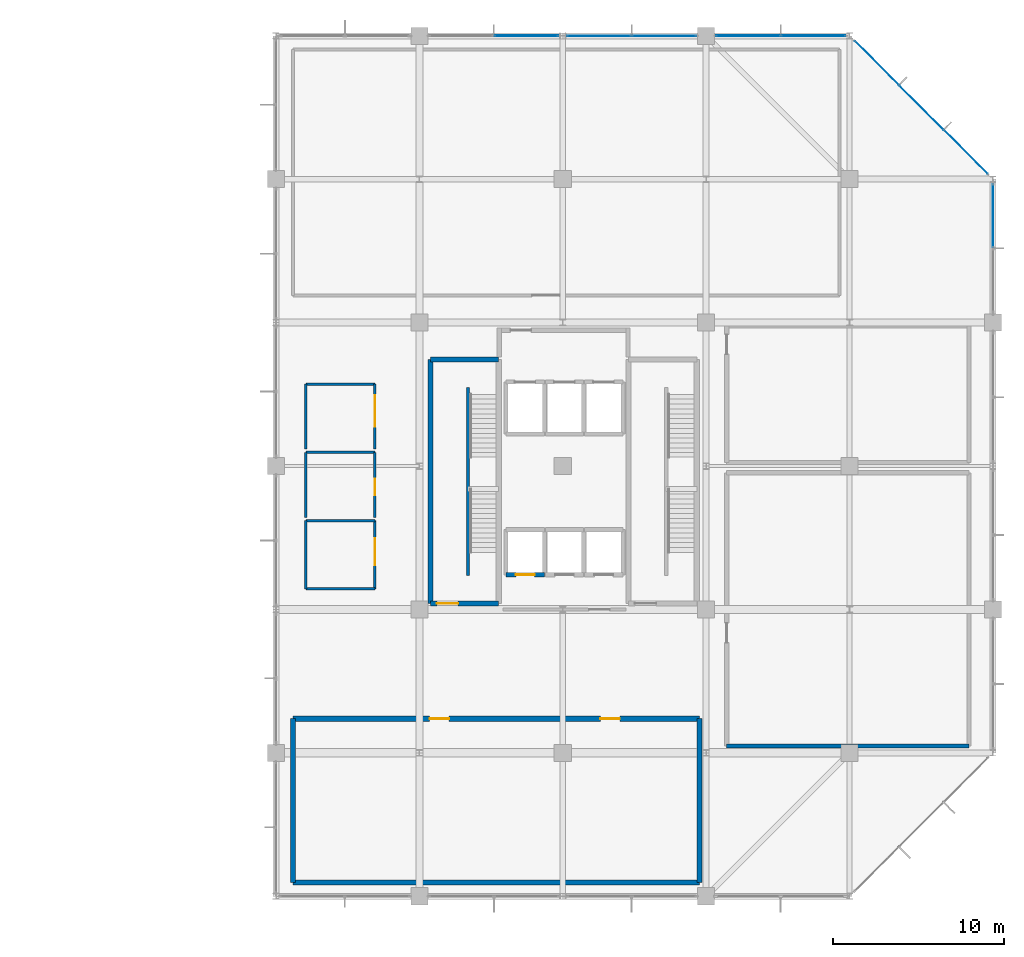
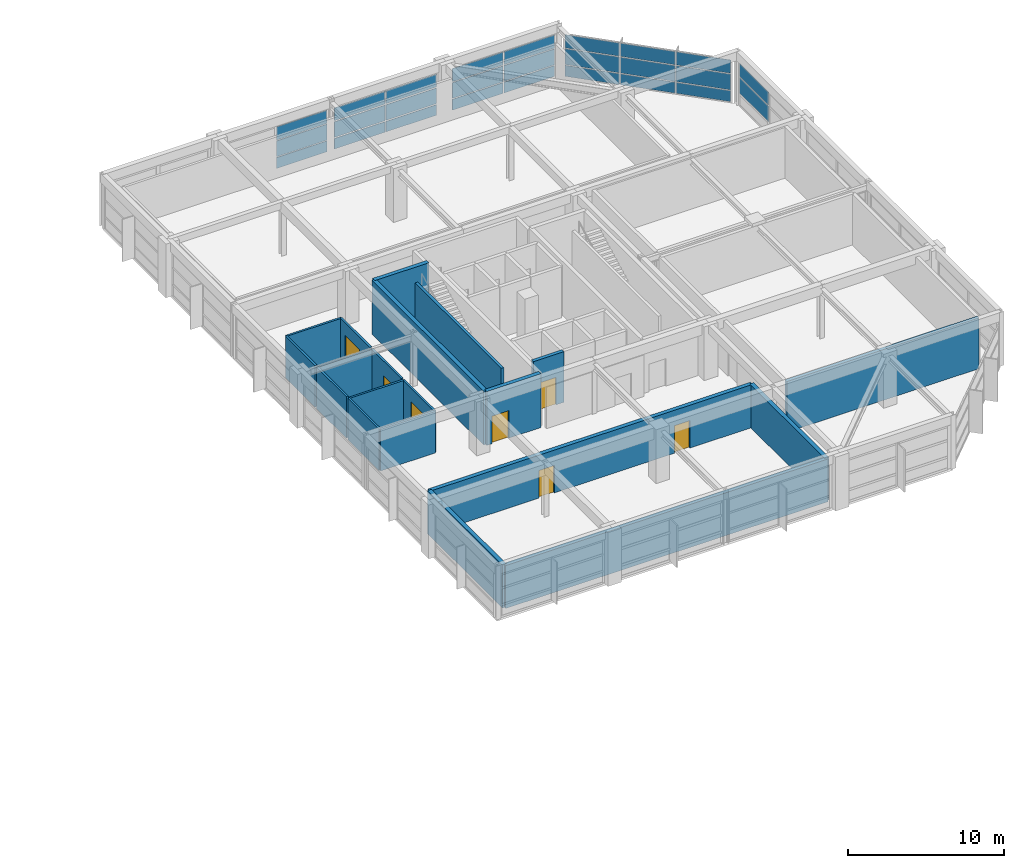
# One storey, part 28 of 32: 26 plates, 20 walls, 7 doors, 7 openings, 5 elements without a shape of their own.
"""IFC4 building model written with IfcOpenShell, lengths in metres."""

from ifc_helpers import new_model, si_unit, direction, frame, frame_2d, origin, origin_2d, place, context, subcontext, project, spatial, rectangle, extrude, material, layer, layer_set, type_object, element, fill, aggregate, save


model = new_model("IFC4")

# Units and contexts
model_context = context("Model", 3, precision=1e-05, world=origin(), true_north=direction((0.0, 1.0)))
body_context = subcontext(model_context, "Body", "Model", "MODEL_VIEW")
ifc_project = project(units=[si_unit("LENGTHUNIT", "METRE"), si_unit("AREAUNIT", "SQUARE_METRE"), si_unit("VOLUMEUNIT", "CUBIC_METRE"), si_unit("PLANEANGLEUNIT", "RADIAN"), si_unit("MASSUNIT", "GRAM", prefix="KILO")], contexts=[model_context])

# Site, building, storey
site_placement = place(None, origin())
site = spatial("IfcSite", under=ifc_project, at=site_placement, CompositionType="ELEMENT")
building_placement = place(site_placement, origin())
building = spatial("IfcBuilding", under=site, at=building_placement, Name="Xuanlan Plaza Opera House", CompositionType="ELEMENT")
storey_placement = place(building_placement, frame((0.0, 0.0, 40.5)))
storey = spatial("IfcBuildingStorey", under=building, at=storey_placement, Name="L09", CompositionType="ELEMENT", Elevation=40.5)

# Curtain wall, plates
ifc_material_1 = material(Name="Anodised Aluminium 6063-T6 and Low-E Glass", Category="aluminium")
curtain_wall_type_1 = type_object("IfcCurtainWallType", Name="ENV-CW-CW-01", PredefinedType="USERDEFINED", material=ifc_material_1)
curtain_wall_1_placement = place(storey_placement, origin())
curtain_wall_1 = element("IfcCurtainWall", 1, at=curtain_wall_1_placement, inside=storey, type_object=curtain_wall_type_1, Name="Unitised Curtain Wall L09-010", ObjectType="UNITISED CURTAIN WALL", PredefinedType="USERDEFINED")
ifc_material_2 = material(Name="Laminated Acoustic Double Glazing", Category="glass")
ifc_layer_1 = layer(ifc_material_2, 0.028076171875)
ifc_layer_set_1 = layer_set([ifc_layer_1], Name="Laminated Acoustic Double Glazing")
plate_type_1 = type_object("IfcPlateType", Name="ENV-CWP-01", PredefinedType="CURTAIN_PANEL", material=ifc_layer_set_1)
plate_1_placement = place(storey_placement, frame((166.40576171875, 77.194091796875, 0.06494140625), z_axis=(0.0, 0.0, 1.0), x_axis=(-0.707106781187, 0.707106781187, 0.0)))
plate_1 = element("IfcPlate", 2, at=plate_1_placement, type_object=plate_type_1, Name="CW-01 panel 1.1", PredefinedType="CURTAIN_PANEL", context=body_context, shape_type="SweptSolid", body=[
    extrude(rectangle(XDim=3.60400390625, YDim=0.028076171875, at=origin_2d()), origin(), (0.0, 0.0, 1.0), 0.8525390625),
])
plate_2_placement = place(storey_placement, frame((166.40576171875, 77.194091796875, 0.982421875), z_axis=(0.0, 0.0, 1.0), x_axis=(-0.707106781187, 0.707106781187, 0.0)))
plate_2 = element("IfcPlate", 3, at=plate_2_placement, type_object=plate_type_1, Name="CW-01 panel 1.2", PredefinedType="CURTAIN_PANEL", context=body_context, shape_type="SweptSolid", body=[
    extrude(rectangle(XDim=3.60400390625, YDim=0.028076171875, at=origin_2d()), origin(), (0.0, 0.0, 1.0), 1.235107421875),
])
plate_3_placement = place(storey_placement, frame((166.40576171875, 77.194091796875, 2.28271484375), z_axis=(0.0, 0.0, 1.0), x_axis=(-0.707106781187, 0.707106781187, 0.0)))
plate_3 = element("IfcPlate", 4, at=plate_3_placement, type_object=plate_type_1, Name="CW-01 panel 1.3", PredefinedType="CURTAIN_PANEL", context=body_context, shape_type="SweptSolid", body=[
    extrude(rectangle(XDim=3.60400390625, YDim=0.028076171875, at=origin_2d()), origin(), (0.0, 0.0, 1.0), 1.032470703125),
])
plate_4_placement = place(storey_placement, frame((163.800048828125, 79.800048828125, 0.06494140625), z_axis=(0.0, 0.0, 1.0), x_axis=(-0.707106781187, 0.707106781187, 0.0)))
plate_4 = element("IfcPlate", 5, at=plate_4_placement, type_object=plate_type_1, Name="CW-01 panel 2.1", PredefinedType="CURTAIN_PANEL", context=body_context, shape_type="SweptSolid", body=[
    extrude(rectangle(XDim=3.636474609375, YDim=0.028076171875, at=origin_2d()), origin(), (0.0, 0.0, 1.0), 0.8525390625),
])
plate_5_placement = place(storey_placement, frame((163.800048828125, 79.800048828125, 0.982421875), z_axis=(0.0, 0.0, 1.0), x_axis=(-0.707106781187, 0.707106781187, 0.0)))
plate_5 = element("IfcPlate", 6, at=plate_5_placement, type_object=plate_type_1, Name="CW-01 panel 2.2", PredefinedType="CURTAIN_PANEL", context=body_context, shape_type="SweptSolid", body=[
    extrude(rectangle(XDim=3.636474609375, YDim=0.028076171875, at=origin_2d()), origin(), (0.0, 0.0, 1.0), 1.235107421875),
])
plate_6_placement = place(storey_placement, frame((163.800048828125, 79.800048828125, 2.28271484375), z_axis=(0.0, 0.0, 1.0), x_axis=(-0.707106781187, 0.707106781187, 0.0)))
plate_6 = element("IfcPlate", 7, at=plate_6_placement, type_object=plate_type_1, Name="CW-01 panel 2.3", PredefinedType="CURTAIN_PANEL", context=body_context, shape_type="SweptSolid", body=[
    extrude(rectangle(XDim=3.636474609375, YDim=0.028076171875, at=origin_2d()), origin(), (0.0, 0.0, 1.0), 1.032470703125),
])
plate_7_placement = place(storey_placement, frame((161.194091796875, 82.40576171875, 0.06494140625), z_axis=(0.0, 0.0, 1.0), x_axis=(-0.707106781187, 0.707106781187, 0.0)))
plate_7 = element("IfcPlate", 8, at=plate_7_placement, type_object=plate_type_1, Name="CW-01 panel 3.1", PredefinedType="CURTAIN_PANEL", context=body_context, shape_type="SweptSolid", body=[
    extrude(rectangle(XDim=3.60400390625, YDim=0.028076171875, at=origin_2d()), origin(), (0.0, 0.0, 1.0), 0.8525390625),
])
plate_8_placement = place(storey_placement, frame((161.194091796875, 82.40576171875, 0.982421875), z_axis=(0.0, 0.0, 1.0), x_axis=(-0.707106781187, 0.707106781187, 0.0)))
plate_8 = element("IfcPlate", 9, at=plate_8_placement, type_object=plate_type_1, Name="CW-01 panel 3.2", PredefinedType="CURTAIN_PANEL", context=body_context, shape_type="SweptSolid", body=[
    extrude(rectangle(XDim=3.60400390625, YDim=0.028076171875, at=origin_2d()), origin(), (0.0, 0.0, 1.0), 1.235107421875),
])
plate_9_placement = place(storey_placement, frame((161.194091796875, 82.40576171875, 2.28271484375), z_axis=(0.0, 0.0, 1.0), x_axis=(-0.707106781187, 0.707106781187, 0.0)))
plate_9 = element("IfcPlate", 10, at=plate_9_placement, type_object=plate_type_1, Name="CW-01 panel 3.3", PredefinedType="CURTAIN_PANEL", context=body_context, shape_type="SweptSolid", body=[
    extrude(rectangle(XDim=3.60400390625, YDim=0.028076171875, at=origin_2d()), origin(), (0.0, 0.0, 1.0), 1.032470703125),
])
aggregate(curtain_wall_1, [plate_1, plate_2, plate_3, plate_4, plate_5, plate_6, plate_7, plate_8, plate_9])

curtain_wall_type_2 = type_object("IfcCurtainWallType", Name="ENV-CW-CW-03", PredefinedType="USERDEFINED", material=ifc_material_1)
curtain_wall_2_placement = place(storey_placement, origin())
curtain_wall_2 = element("IfcCurtainWall", 11, at=curtain_wall_2_placement, inside=storey, type_object=curtain_wall_type_2, Name="Unitised Curtain Wall L09-012", ObjectType="UNITISED CURTAIN WALL", PredefinedType="USERDEFINED")
ifc_layer_2 = layer(ifc_material_2, 0.031982421875)
ifc_layer_set_2 = layer_set([ifc_layer_2], Name="Laminated Acoustic Double Glazing")
plate_type_2 = type_object("IfcPlateType", Name="ENV-CWP-02", PredefinedType="CURTAIN_PANEL", material=ifc_layer_set_2)
plate_10_placement = place(storey_placement, frame((148.739990234375, 84.0, 0.090087890625), z_axis=(0.0, 0.0, 1.0), x_axis=(-1.0, 0.0, 0.0)))
plate_10 = element("IfcPlate", 12, at=plate_10_placement, type_object=plate_type_2, Name="CW-03 panel 1.1", PredefinedType="CURTAIN_PANEL", context=body_context, shape_type="SweptSolid", body=[
    extrude(rectangle(XDim=3.72998046875, YDim=0.031982421875, at=origin_2d()), origin(), (0.0, 0.0, 1.0), 0.81494140625),
])
plate_11_placement = place(storey_placement, frame((148.739990234375, 84.0, 0.9951171875), z_axis=(0.0, 0.0, 1.0), x_axis=(-1.0, 0.0, 0.0)))
plate_11 = element("IfcPlate", 13, at=plate_11_placement, type_object=plate_type_2, Name="CW-03 panel 1.2", PredefinedType="CURTAIN_PANEL", context=body_context, shape_type="SweptSolid", body=[
    extrude(rectangle(XDim=3.72998046875, YDim=0.031982421875, at=origin_2d()), origin(), (0.0, 0.0, 1.0), 1.2099609375),
])
plate_12_placement = place(storey_placement, frame((148.739990234375, 84.0, 2.294921875), z_axis=(0.0, 0.0, 1.0), x_axis=(-1.0, 0.0, 0.0)))
plate_12 = element("IfcPlate", 14, at=plate_12_placement, type_object=plate_type_2, Name="CW-03 panel 1.3", PredefinedType="CURTAIN_PANEL", context=body_context, shape_type="SweptSolid", body=[
    extrude(rectangle(XDim=3.72998046875, YDim=0.031982421875, at=origin_2d()), origin(), (0.0, 0.0, 1.0), 0.9951171875),
])
plate_13_placement = place(storey_placement, frame((144.93505859375, 84.0, 0.090087890625), z_axis=(0.0, 0.0, 1.0), x_axis=(-1.0, 0.0, 0.0)))
plate_13 = element("IfcPlate", 15, at=plate_13_placement, type_object=plate_type_2, Name="CW-03 panel 2.1", PredefinedType="CURTAIN_PANEL", context=body_context, shape_type="SweptSolid", body=[
    extrude(rectangle(XDim=3.72998046875, YDim=0.031982421875, at=origin_2d()), origin(), (0.0, 0.0, 1.0), 0.81494140625),
])
plate_14_placement = place(storey_placement, frame((144.93505859375, 84.0, 0.9951171875), z_axis=(0.0, 0.0, 1.0), x_axis=(-1.0, 0.0, 0.0)))
plate_14 = element("IfcPlate", 16, at=plate_14_placement, type_object=plate_type_2, Name="CW-03 panel 2.2", PredefinedType="CURTAIN_PANEL", context=body_context, shape_type="SweptSolid", body=[
    extrude(rectangle(XDim=3.72998046875, YDim=0.031982421875, at=origin_2d()), origin(), (0.0, 0.0, 1.0), 1.2099609375),
])
plate_15_placement = place(storey_placement, frame((144.93505859375, 84.0, 2.294921875), z_axis=(0.0, 0.0, 1.0), x_axis=(-1.0, 0.0, 0.0)))
plate_15 = element("IfcPlate", 17, at=plate_15_placement, type_object=plate_type_2, Name="CW-03 panel 2.3", PredefinedType="CURTAIN_PANEL", context=body_context, shape_type="SweptSolid", body=[
    extrude(rectangle(XDim=3.72998046875, YDim=0.031982421875, at=origin_2d()), origin(), (0.0, 0.0, 1.0), 0.9951171875),
])
aggregate(curtain_wall_2, [plate_10, plate_11, plate_12, plate_13, plate_14, plate_15])

curtain_wall_type_3 = type_object("IfcCurtainWallType", Name="ENV-CW-CW-04", PredefinedType="USERDEFINED", material=ifc_material_1)
curtain_wall_3_placement = place(storey_placement, origin())
curtain_wall_3 = element("IfcCurtainWall", 18, at=curtain_wall_3_placement, inside=storey, type_object=curtain_wall_type_3, Name="Unitised Curtain Wall L09-009", ObjectType="UNITISED CURTAIN WALL", PredefinedType="USERDEFINED")
ifc_layer_3 = layer(ifc_material_2, 0.035888671875)
ifc_layer_set_3 = layer_set([ifc_layer_3], Name="Laminated Acoustic Double Glazing")
plate_type_3 = type_object("IfcPlateType", Name="ENV-CWP-03", PredefinedType="CURTAIN_PANEL", material=ifc_layer_set_3)
plate_16_placement = place(storey_placement, frame((168.0, 73.461181640625, 0.990234375), z_axis=(0.0, 0.0, 1.0), x_axis=(0.0, 1.0, 0.0)))
plate_16 = element("IfcPlate", 19, at=plate_16_placement, type_object=plate_type_3, Name="CW-04 panel 2.2", PredefinedType="CURTAIN_PANEL", context=body_context, shape_type="SweptSolid", body=[
    extrude(rectangle(XDim=3.70751953125, YDim=0.035888671875, at=origin_2d()), origin(), (0.0, 0.0, 1.0), 1.219970703125),
])
plate_17_placement = place(storey_placement, frame((168.0, 73.461181640625, 2.2900390625), z_axis=(0.0, 0.0, 1.0), x_axis=(0.0, 1.0, 0.0)))
plate_17 = element("IfcPlate", 20, at=plate_17_placement, type_object=plate_type_3, Name="CW-04 panel 2.3", PredefinedType="CURTAIN_PANEL", context=body_context, shape_type="SweptSolid", body=[
    extrude(rectangle(XDim=3.70751953125, YDim=0.035888671875, at=origin_2d()), origin(), (0.0, 0.0, 1.0), 1.010009765625),
])
aggregate(curtain_wall_3, [plate_16, plate_17])

curtain_wall_type_4 = type_object("IfcCurtainWallType", Name="ENV-CW-CW-02", PredefinedType="USERDEFINED", material=ifc_material_1)
curtain_wall_4_placement = place(storey_placement, origin())
curtain_wall_4 = element("IfcCurtainWall", 21, at=curtain_wall_4_placement, inside=storey, type_object=curtain_wall_type_4, Name="Unitised Curtain Wall L09-011", ObjectType="UNITISED CURTAIN WALL", PredefinedType="USERDEFINED")
ifc_layer_4 = layer(ifc_material_2, 0.0400390625)
ifc_layer_set_4 = layer_set([ifc_layer_4], Name="Laminated Acoustic Double Glazing")
plate_type_4 = type_object("IfcPlateType", Name="ENV-CWP-04", PredefinedType="CURTAIN_PANEL", material=ifc_layer_set_4)
plate_18_placement = place(storey_placement, frame((157.46630859375, 84.0, 0.074951171875), z_axis=(0.0, 0.0, 1.0), x_axis=(-1.0, 0.0, 0.0)))
plate_18 = element("IfcPlate", 22, at=plate_18_placement, type_object=plate_type_4, Name="CW-02 panel 1.1", PredefinedType="CURTAIN_PANEL", context=body_context, shape_type="SweptSolid", body=[
    extrude(rectangle(XDim=3.737548828125, YDim=0.0400390625, at=origin_2d()), origin(), (0.0, 0.0, 1.0), 0.83740234375),
])
plate_19_placement = place(storey_placement, frame((157.46630859375, 84.0, 0.987548828125), z_axis=(0.0, 0.0, 1.0), x_axis=(-1.0, 0.0, 0.0)))
plate_19 = element("IfcPlate", 23, at=plate_19_placement, type_object=plate_type_4, Name="CW-02 panel 1.2", PredefinedType="CURTAIN_PANEL", context=body_context, shape_type="SweptSolid", body=[
    extrude(rectangle(XDim=3.737548828125, YDim=0.0400390625, at=origin_2d()), origin(), (0.0, 0.0, 1.0), 1.22509765625),
])
plate_20_placement = place(storey_placement, frame((157.46630859375, 84.0, 2.287353515625), z_axis=(0.0, 0.0, 1.0), x_axis=(-1.0, 0.0, 0.0)))
plate_20 = element("IfcPlate", 24, at=plate_20_placement, type_object=plate_type_4, Name="CW-02 panel 1.3", PredefinedType="CURTAIN_PANEL", context=body_context, shape_type="SweptSolid", body=[
    extrude(rectangle(XDim=3.737548828125, YDim=0.0400390625, at=origin_2d()), origin(), (0.0, 0.0, 1.0), 1.017578125),
])
plate_21_placement = place(storey_placement, frame((153.65869140625, 84.0, 0.074951171875), z_axis=(0.0, 0.0, 1.0), x_axis=(-1.0, 0.0, 0.0)))
plate_21 = element("IfcPlate", 25, at=plate_21_placement, type_object=plate_type_4, Name="CW-02 panel 2.1", PredefinedType="CURTAIN_PANEL", context=body_context, shape_type="SweptSolid", body=[
    extrude(rectangle(XDim=3.737548828125, YDim=0.0400390625, at=origin_2d()), origin(), (0.0, 0.0, 1.0), 0.83740234375),
])
plate_22_placement = place(storey_placement, frame((153.65869140625, 84.0, 0.987548828125), z_axis=(0.0, 0.0, 1.0), x_axis=(-1.0, 0.0, 0.0)))
plate_22 = element("IfcPlate", 26, at=plate_22_placement, type_object=plate_type_4, Name="CW-02 panel 2.2", PredefinedType="CURTAIN_PANEL", context=body_context, shape_type="SweptSolid", body=[
    extrude(rectangle(XDim=3.737548828125, YDim=0.0400390625, at=origin_2d()), origin(), (0.0, 0.0, 1.0), 1.22509765625),
])
plate_23_placement = place(storey_placement, frame((153.65869140625, 84.0, 2.287353515625), z_axis=(0.0, 0.0, 1.0), x_axis=(-1.0, 0.0, 0.0)))
plate_23 = element("IfcPlate", 27, at=plate_23_placement, type_object=plate_type_4, Name="CW-02 panel 2.3", PredefinedType="CURTAIN_PANEL", context=body_context, shape_type="SweptSolid", body=[
    extrude(rectangle(XDim=3.737548828125, YDim=0.0400390625, at=origin_2d()), origin(), (0.0, 0.0, 1.0), 1.017578125),
])
aggregate(curtain_wall_4, [plate_18, plate_19, plate_20, plate_21, plate_22, plate_23])

curtain_wall_5_placement = place(storey_placement, origin())
curtain_wall_5 = element("IfcCurtainWall", 28, at=curtain_wall_5_placement, inside=storey, type_object=curtain_wall_type_3, Name="Unitised Curtain Wall L09-013", ObjectType="UNITISED CURTAIN WALL", PredefinedType="USERDEFINED")
ifc_layer_5 = layer(ifc_material_2, 0.0439453125)
ifc_layer_set_5 = layer_set([ifc_layer_5], Name="Laminated Acoustic Double Glazing")
plate_type_5 = type_object("IfcPlateType", Name="ENV-CWP-05", PredefinedType="CURTAIN_PANEL", material=ifc_layer_set_5)
plate_24_placement = place(storey_placement, frame((140.663818359375, 84.0, 0.06982421875), z_axis=(0.0, 0.0, 1.0), x_axis=(-1.0, 0.0, 0.0)))
plate_24 = element("IfcPlate", 29, at=plate_24_placement, type_object=plate_type_5, Name="CW-04 panel 1.1", PredefinedType="CURTAIN_PANEL", context=body_context, shape_type="SweptSolid", body=[
    extrude(rectangle(XDim=3.722412109375, YDim=0.0439453125, at=origin_2d()), origin(), (0.0, 0.0, 1.0), 0.844970703125),
])
plate_25_placement = place(storey_placement, frame((140.663818359375, 84.0, 0.985107421875), z_axis=(0.0, 0.0, 1.0), x_axis=(-1.0, 0.0, 0.0)))
plate_25 = element("IfcPlate", 30, at=plate_25_placement, type_object=plate_type_5, Name="CW-04 panel 1.2", PredefinedType="CURTAIN_PANEL", context=body_context, shape_type="SweptSolid", body=[
    extrude(rectangle(XDim=3.722412109375, YDim=0.0439453125, at=origin_2d()), origin(), (0.0, 0.0, 1.0), 1.22998046875),
])
plate_26_placement = place(storey_placement, frame((140.663818359375, 84.0, 2.28515625), z_axis=(0.0, 0.0, 1.0), x_axis=(-1.0, 0.0, 0.0)))
plate_26 = element("IfcPlate", 31, at=plate_26_placement, type_object=plate_type_5, Name="CW-04 panel 1.3", PredefinedType="CURTAIN_PANEL", context=body_context, shape_type="SweptSolid", body=[
    extrude(rectangle(XDim=3.722412109375, YDim=0.0439453125, at=origin_2d()), origin(), (0.0, 0.0, 1.0), 1.02490234375),
])
aggregate(curtain_wall_5, [plate_24, plate_25, plate_26])

# Walls
ifc_material_3 = material(Name="Autoclaved Aerated Blockwork Masonry", Category="masonry")
ifc_layer_6 = layer(ifc_material_3, 0.14990234375)
ifc_layer_set_6 = layer_set([ifc_layer_6], Name="Autoclaved Aerated Blockwork Masonry")
wall_type_1 = type_object("IfcWallType", Name="INT-WL-PW-03", PredefinedType="PARTITIONING", material=ifc_layer_set_6)
for number, where, z_axis, x_axis, name in (
    (32, (127.75, 51.60009765625, 0.0), (0.0, 0.0, 1.0), (1.0, 0.0, 0.0), "Public WC Wall South"),
    (33, (127.75, 55.60009765625, 0.0), (0.0, 0.0, 1.0), (1.0, 0.0, 0.0), "Public WC Wall North"),
):
    element("IfcWall", number, at=place(storey_placement, frame(where, z_axis=z_axis, x_axis=x_axis)), inside=storey, type_object=wall_type_1, Name=name, PredefinedType="PARTITIONING", context=body_context, shape_type="SweptSolid", body=[
        extrude(rectangle(XDim=4.050048828125, YDim=0.14990234375, at=frame_2d((2.02490234375, 0.0))), origin(), (0.0, 0.0, 1.0), 3.239990234375),
    ])
wall_1_placement = place(storey_placement, frame((127.75, 51.60009765625, 0.0), z_axis=(0.0, 0.0, 1.0), x_axis=(0.0, 1.0, 0.0)))
element("IfcWall", 34, at=wall_1_placement, inside=storey, type_object=wall_type_1, Name="Public WC Wall West", PredefinedType="PARTITIONING", context=body_context, shape_type="SweptSolid", body=[
    extrude(rectangle(XDim=4.0, YDim=0.14990234375, at=frame_2d((2.0, 0.0))), origin(), (0.0, 0.0, 1.0), 3.239990234375),
])

# Wall, opening, door
wall_2_placement = place(storey_placement, frame((131.800048828125, 51.60009765625, 0.0), z_axis=(0.0, 0.0, 1.0), x_axis=(0.0, 1.0, 0.0)))
wall_2 = element("IfcWall", 35, at=wall_2_placement, inside=storey, type_object=wall_type_1, Name="Public WC Wall East", PredefinedType="PARTITIONING", context=body_context, shape_type="SweptSolid", body=[
    extrude(rectangle(XDim=4.0, YDim=0.14990234375, at=frame_2d((2.0, 0.0))), origin(), (0.0, 0.0, 1.0), 3.239990234375),
])
opening_1_placement = place(wall_2_placement, frame((1.39990234375, 0.0, 0.0)))
opening_1 = element("IfcOpeningElement", 36, at=opening_1_placement, cuts=wall_2, Name="Opening D-13", PredefinedType="OPENING", context=body_context, shape_type="SweptSolid", body=[
    extrude(rectangle(XDim=1.56005859375, YDim=2.199951171875, at=frame_2d((0.780029296875, 1.10009765625))), frame((0.0, 0.0849609375, 0.0), z_axis=(0.0, -1.0, 0.0), x_axis=(1.0, 0.0, 0.0)), (0.0, 0.0, 1.0), 0.169921875),
])
ifc_material_4 = material(Name="Walnut Hardwood Timber", Category="wood")
door_type_1 = type_object("IfcDoorType", Name="INT-DR-D-13", OperationType="DOUBLE_DOOR_SINGLE_SWING", PredefinedType="DOOR", material=ifc_material_4)
door_1_placement = place(opening_1_placement, origin())
door_1 = element("IfcDoor", 37, at=door_1_placement, inside=storey, type_object=door_type_1, Name="Public WC Door 1", OperationType="DOUBLE_DOOR_SINGLE_SWING", OverallHeight=2.199951171875, OverallWidth=1.56005859375, PredefinedType="DOOR", context=body_context, shape_type="SweptSolid", body=[
    extrude(rectangle(XDim=1.56005859375, YDim=2.199951171875, at=frame_2d((0.780029296875, 1.10009765625))), frame((0.0, 0.02490234375, 0.0), z_axis=(0.0, -1.0, 0.0), x_axis=(1.0, 0.0, 0.0)), (0.0, 0.0, 1.0), 0.050048828125),
])
fill(opening_1, door_1)

# Walls
wall_3_placement = place(storey_placement, frame((127.75, 59.60009765625, 0.0), z_axis=(0.0, 0.0, 1.0), x_axis=(1.0, 0.0, 0.0)))
element("IfcWall", 38, at=wall_3_placement, inside=storey, type_object=wall_type_1, Name="Staff WC Wall North", PredefinedType="PARTITIONING", context=body_context, shape_type="SweptSolid", body=[
    extrude(rectangle(XDim=4.050048828125, YDim=0.14990234375, at=frame_2d((2.02490234375, 0.0))), origin(), (0.0, 0.0, 1.0), 3.239990234375),
])
wall_4_placement = place(storey_placement, frame((127.75, 55.800048828125, 0.0), z_axis=(0.0, 0.0, 1.0), x_axis=(0.0, 1.0, 0.0)))
element("IfcWall", 39, at=wall_4_placement, inside=storey, type_object=wall_type_1, Name="Staff WC Wall West", PredefinedType="PARTITIONING", context=body_context, shape_type="SweptSolid", body=[
    extrude(rectangle(XDim=3.800048828125, YDim=0.14990234375, at=frame_2d((1.89990234375, 0.0))), origin(), (0.0, 0.0, 1.0), 3.239990234375),
])

# Wall, opening, door
wall_5_placement = place(storey_placement, frame((131.800048828125, 55.800048828125, 0.0), z_axis=(0.0, 0.0, 1.0), x_axis=(0.0, 1.0, 0.0)))
wall_5 = element("IfcWall", 40, at=wall_5_placement, inside=storey, type_object=wall_type_1, Name="Staff WC Wall East", PredefinedType="PARTITIONING", context=body_context, shape_type="SweptSolid", body=[
    extrude(rectangle(XDim=3.800048828125, YDim=0.14990234375, at=frame_2d((1.89990234375, 0.0))), origin(), (0.0, 0.0, 1.0), 3.239990234375),
])
opening_2_placement = place(wall_5_placement, frame((1.300048828125, 0.0, 0.0)))
opening_2 = element("IfcOpeningElement", 41, at=opening_2_placement, cuts=wall_5, Name="Opening D-01", PredefinedType="OPENING", context=body_context, shape_type="SweptSolid", body=[
    extrude(rectangle(XDim=0.949951171875, YDim=2.10009765625, at=frame_2d((0.47509765625, 1.050048828125))), frame((0.0, 0.0849609375, 0.0), z_axis=(0.0, -1.0, 0.0), x_axis=(1.0, 0.0, 0.0)), (0.0, 0.0, 1.0), 0.169921875),
])
door_type_2 = type_object("IfcDoorType", Name="INT-DR-D-01", OperationType="NOTDEFINED", PredefinedType="DOOR", material=ifc_material_4)
door_2_placement = place(opening_2_placement, origin())
door_2 = element("IfcDoor", 42, at=door_2_placement, inside=storey, type_object=door_type_2, Name="Staff WC Door 1", OperationType="SINGLE_SWING_RIGHT", OverallHeight=2.10009765625, OverallWidth=0.949951171875, PredefinedType="DOOR", context=body_context, shape_type="SweptSolid", body=[
    extrude(rectangle(XDim=0.949951171875, YDim=2.10009765625, at=frame_2d((0.47509765625, 1.050048828125))), frame((0.0, 0.02490234375, 0.0), z_axis=(0.0, -1.0, 0.0), x_axis=(1.0, 0.0, 0.0)), (0.0, 0.0, 1.0), 0.050048828125),
])
fill(opening_2, door_2)

# Walls
wall_6_placement = place(storey_placement, frame((127.75, 63.60009765625, 0.0), z_axis=(0.0, 0.0, 1.0), x_axis=(1.0, 0.0, 0.0)))
element("IfcWall", 43, at=wall_6_placement, inside=storey, type_object=wall_type_1, Name="Accessible WC Wall North", PredefinedType="PARTITIONING", context=body_context, shape_type="SweptSolid", body=[
    extrude(rectangle(XDim=4.050048828125, YDim=0.14990234375, at=frame_2d((2.02490234375, 0.0))), origin(), (0.0, 0.0, 1.0), 3.239990234375),
])
wall_7_placement = place(storey_placement, frame((127.75, 59.800048828125, 0.0), z_axis=(0.0, 0.0, 1.0), x_axis=(0.0, 1.0, 0.0)))
element("IfcWall", 44, at=wall_7_placement, inside=storey, type_object=wall_type_1, Name="Accessible WC Wall West", PredefinedType="PARTITIONING", context=body_context, shape_type="SweptSolid", body=[
    extrude(rectangle(XDim=3.800048828125, YDim=0.14990234375, at=frame_2d((1.89990234375, 0.0))), origin(), (0.0, 0.0, 1.0), 3.239990234375),
])

# Wall, opening, door
wall_8_placement = place(storey_placement, frame((131.800048828125, 59.800048828125, 0.0), z_axis=(0.0, 0.0, 1.0), x_axis=(0.0, 1.0, 0.0)))
wall_8 = element("IfcWall", 45, at=wall_8_placement, inside=storey, type_object=wall_type_1, Name="Accessible WC Wall East", PredefinedType="PARTITIONING", context=body_context, shape_type="SweptSolid", body=[
    extrude(rectangle(XDim=3.800048828125, YDim=0.14990234375, at=frame_2d((1.89990234375, 0.0))), origin(), (0.0, 0.0, 1.0), 3.239990234375),
])
opening_3_placement = place(wall_8_placement, frame((1.300048828125, 0.0, 0.0)))
opening_3 = element("IfcOpeningElement", 46, at=opening_3_placement, cuts=wall_8, Name="Opening D-15", PredefinedType="OPENING", context=body_context, shape_type="SweptSolid", body=[
    extrude(rectangle(XDim=1.860107421875, YDim=2.260009765625, at=frame_2d((0.93017578125, 1.1298828125))), frame((0.0, 0.0849609375, 0.0), z_axis=(0.0, -1.0, 0.0), x_axis=(1.0, 0.0, 0.0)), (0.0, 0.0, 1.0), 0.169921875),
])
door_type_3 = type_object("IfcDoorType", Name="INT-DR-D-15", OperationType="DOUBLE_DOOR_SINGLE_SWING", PredefinedType="DOOR", material=ifc_material_4)
door_3_placement = place(opening_3_placement, origin())
door_3 = element("IfcDoor", 47, at=door_3_placement, inside=storey, type_object=door_type_3, Name="Accessible WC Door 1", OperationType="DOUBLE_DOOR_SINGLE_SWING", OverallHeight=2.260009765625, OverallWidth=1.860107421875, PredefinedType="DOOR", context=body_context, shape_type="SweptSolid", body=[
    extrude(rectangle(XDim=1.860107421875, YDim=2.260009765625, at=frame_2d((0.93017578125, 1.1298828125))), frame((0.0, 0.02490234375, 0.0), z_axis=(0.0, -1.0, 0.0), x_axis=(1.0, 0.0, 0.0)), (0.0, 0.0, 1.0), 0.050048828125),
])
fill(opening_3, door_3)

ifc_material_5 = material(Name="Concrete C40", Category="concrete")
ifc_layer_7 = layer(ifc_material_5, 0.25)
ifc_layer_set_7 = layer_set([ifc_layer_7], Name="Concrete C40")
wall_type_2 = type_object("IfcWallType", Name="INT-WL-SW-LF1", PredefinedType="SHEAR", material=ifc_layer_set_7)
wall_9_placement = place(storey_placement, frame((139.47509765625, 52.425048828125, 0.0), z_axis=(0.0, 0.0, 1.0), x_axis=(1.0, 0.0, 0.0)))
wall_9 = element("IfcWall", 48, at=wall_9_placement, inside=storey, type_object=wall_type_2, Name="Lift Shaft Wall LF-P1 L09 South", PredefinedType="SHEAR", context=body_context, shape_type="SweptSolid", body=[
    extrude(rectangle(XDim=2.25, YDim=0.25, at=frame_2d((1.125, 0.0))), origin(), (0.0, 0.0, 1.0), 3.9599609375),
])
opening_4_placement = place(wall_9_placement, frame((0.574951171875, 0.0, 0.0)))
opening_4 = element("IfcOpeningElement", 49, at=opening_4_placement, cuts=wall_9, Name="Opening LD-P1-L09", PredefinedType="OPENING", context=body_context, shape_type="SweptSolid", body=[
    extrude(rectangle(XDim=1.10009765625, YDim=2.14990234375, at=frame_2d((0.550048828125, 1.074951171875))), frame((0.0, 0.135009765625, 0.0), z_axis=(0.0, -1.0, 0.0), x_axis=(1.0, 0.0, 0.0)), (0.0, 0.0, 1.0), 0.27001953125),
])
ifc_material_6 = material(Name="Stainless Steel S30408", Category="steel")
door_type_4 = type_object("IfcDoorType", Name="INT-DR-LD-01", OperationType="DOUBLE_DOOR_SLIDING", PredefinedType="DOOR", material=ifc_material_6)
door_4_placement = place(opening_4_placement, origin())
door_4 = element("IfcDoor", 50, at=door_4_placement, inside=storey, type_object=door_type_4, Name="Lift Sliding Landing Door LF-P1 L09", OperationType="DOUBLE_DOOR_SLIDING", OverallHeight=2.14990234375, OverallWidth=1.10009765625, PredefinedType="DOOR", context=body_context, shape_type="SweptSolid", body=[
    extrude(rectangle(XDim=1.10009765625, YDim=2.14990234375, at=frame_2d((0.550048828125, 1.074951171875))), frame((0.0, 0.02490234375, 0.0), z_axis=(0.0, -1.0, 0.0), x_axis=(1.0, 0.0, 0.0)), (0.0, 0.0, 1.0), 0.050048828125),
])
fill(opening_4, door_4)

# Walls
wall_10_placement = place(storey_placement, frame((152.39990234375, 42.39990234375, 0.0), z_axis=(0.0, 0.0, 1.0), x_axis=(1.0, 0.0, 0.0)))
element("IfcWall", 51, at=wall_10_placement, inside=storey, type_object=wall_type_2, Name="Tower Acoustic Air Handling Plant Room Wall South", PredefinedType="SHEAR", context=body_context, shape_type="SweptSolid", body=[
    extrude(rectangle(XDim=14.2001953125, YDim=0.25, at=frame_2d((7.10009765625, 0.0))), origin(), (0.0, 0.0, 1.0), 3.9599609375),
])
ifc_layer_8 = layer(ifc_material_5, 0.199951171875)
ifc_layer_set_8 = layer_set([ifc_layer_8], Name="Concrete C40")
wall_type_3 = type_object("IfcWallType", Name="INT-WL-SW-SPN", PredefinedType="SHEAR", material=ifc_layer_set_8)
wall_11_placement = place(storey_placement, frame((137.25, 52.39990234375, 0.0), z_axis=(0.0, 0.0, 1.0), x_axis=(0.0, 1.0, 0.0)))
element("IfcWall", 52, at=wall_11_placement, inside=storey, type_object=wall_type_3, Name="Stair Structural Spine Wall ST-T1 L09", PredefinedType="SHEAR", context=body_context, shape_type="SweptSolid", body=[
    extrude(rectangle(XDim=11.0, YDim=0.199951171875, at=frame_2d((5.5, 0.0))), origin(), (0.0, 0.0, 1.0), 4.199951171875),
])

# Wall, opening, door
ifc_layer_9 = layer(ifc_material_5, 0.300048828125)
ifc_layer_set_9 = layer_set([ifc_layer_9], Name="Concrete C40")
wall_type_4 = type_object("IfcWallType", Name="INT-WL-SW-ST1", PredefinedType="SHEAR", material=ifc_layer_set_9)
wall_12_placement = place(storey_placement, frame((135.050048828125, 50.75, 0.0), z_axis=(0.0, 0.0, 1.0), x_axis=(1.0, 0.0, 0.0)))
wall_12 = element("IfcWall", 53, at=wall_12_placement, inside=storey, type_object=wall_type_4, Name="Stair Core Wall ST-T1 L09 South", PredefinedType="SHEAR", context=body_context, shape_type="SweptSolid", body=[
    extrude(rectangle(XDim=4.0, YDim=0.300048828125, at=frame_2d((2.0, 0.0))), origin(), (0.0, 0.0, 1.0), 4.199951171875),
])
opening_5_placement = place(wall_12_placement, frame((0.375, 0.0, 0.0)))
opening_5 = element("IfcOpeningElement", 54, at=opening_5_placement, cuts=wall_12, Name="Opening FD-ST1", PredefinedType="OPENING", context=body_context, shape_type="SweptSolid", body=[
    extrude(rectangle(XDim=1.25, YDim=2.14990234375, at=frame_2d((0.625, 1.074951171875))), frame((0.0, 0.159912109375, 0.0), z_axis=(0.0, -1.0, 0.0), x_axis=(1.0, 0.0, 0.0)), (0.0, 0.0, 1.0), 0.320068359375),
])
ifc_material_7 = material(Name="Galvanised Steel Q235B", Category="steel")
door_type_5 = type_object("IfcDoorType", Name="INT-DR-FD-ST1", OperationType="NOTDEFINED", PredefinedType="DOOR", material=ifc_material_7)
door_5_placement = place(opening_5_placement, origin())
door_5 = element("IfcDoor", 55, at=door_5_placement, inside=storey, type_object=door_type_5, Name="Stair Enclosure Fire Door ST-T1 L09", OperationType="SINGLE_SWING_LEFT", OverallHeight=2.14990234375, OverallWidth=1.25, PredefinedType="DOOR", context=body_context, shape_type="SweptSolid", body=[
    extrude(rectangle(XDim=1.25, YDim=2.14990234375, at=frame_2d((0.625, 1.074951171875))), frame((0.0, 0.02490234375, 0.0), z_axis=(0.0, -1.0, 0.0), x_axis=(1.0, 0.0, 0.0)), (0.0, 0.0, 1.0), 0.050048828125),
])
fill(opening_5, door_5)

# Walls
wall_13_placement = place(storey_placement, frame((135.050048828125, 65.050048828125, 0.0), z_axis=(0.0, 0.0, 1.0), x_axis=(1.0, 0.0, 0.0)))
element("IfcWall", 56, at=wall_13_placement, inside=storey, type_object=wall_type_4, Name="Stair Core Wall ST-T1 L09 North", PredefinedType="SHEAR", context=body_context, shape_type="SweptSolid", body=[
    extrude(rectangle(XDim=4.0, YDim=0.300048828125, at=frame_2d((2.0, 0.0))), origin(), (0.0, 0.0, 1.0), 4.199951171875),
])
wall_14_placement = place(storey_placement, frame((135.050048828125, 50.75, 0.0), z_axis=(0.0, 0.0, 1.0), x_axis=(0.0, 1.0, 0.0)))
element("IfcWall", 57, at=wall_14_placement, inside=storey, type_object=wall_type_4, Name="Stair Core Wall ST-T1 L09 West", PredefinedType="SHEAR", context=body_context, shape_type="SweptSolid", body=[
    extrude(rectangle(XDim=14.300048828125, YDim=0.300048828125, at=frame_2d((7.14990234375, 0.0))), origin(), (0.0, 0.0, 1.0), 4.199951171875),
])
wall_15_placement = place(storey_placement, frame((127.0, 34.39990234375, 0.0), z_axis=(0.0, 0.0, 1.0), x_axis=(1.0, 0.0, 0.0)))
element("IfcWall", 58, at=wall_15_placement, inside=storey, type_object=wall_type_4, Name="Tower Refuge Area Wall South", PredefinedType="SHEAR", context=body_context, shape_type="SweptSolid", body=[
    extrude(rectangle(XDim=23.800048828125, YDim=0.300048828125, at=frame_2d((11.89990234375, 0.0))), origin(), (0.0, 0.0, 1.0), 3.35009765625),
])

# Wall, openings, doors
wall_16_placement = place(storey_placement, frame((127.0, 44.0, 0.0), z_axis=(0.0, 0.0, 1.0), x_axis=(1.0, 0.0, 0.0)))
wall_16 = element("IfcWall", 59, at=wall_16_placement, inside=storey, type_object=wall_type_4, Name="Tower Refuge Area Wall North", PredefinedType="SHEAR", context=body_context, shape_type="SweptSolid", body=[
    extrude(rectangle(XDim=23.800048828125, YDim=0.300048828125, at=frame_2d((11.89990234375, 0.0))), origin(), (0.0, 0.0, 1.0), 3.35009765625),
])
opening_6_placement = place(wall_16_placement, frame((8.0, 0.0, 0.0)))
opening_6 = element("IfcOpeningElement", 60, at=opening_6_placement, cuts=wall_16, Name="Opening FD-01", PredefinedType="OPENING", context=body_context, shape_type="SweptSolid", body=[
    extrude(rectangle(XDim=1.14990234375, YDim=2.14990234375, at=frame_2d((0.574951171875, 1.074951171875))), frame((0.0, 0.159912109375, 0.0), z_axis=(0.0, -1.0, 0.0), x_axis=(1.0, 0.0, 0.0)), (0.0, 0.0, 1.0), 0.320068359375),
])
opening_7_placement = place(wall_16_placement, frame((18.0, 0.0, 0.0)))
opening_7 = element("IfcOpeningElement", 61, at=opening_7_placement, cuts=wall_16, Name="Opening FD-01", PredefinedType="OPENING", context=body_context, shape_type="SweptSolid", body=[
    extrude(rectangle(XDim=1.14990234375, YDim=2.14990234375, at=frame_2d((0.574951171875, 1.074951171875))), frame((0.0, 0.159912109375, 0.0), z_axis=(0.0, -1.0, 0.0), x_axis=(1.0, 0.0, 0.0)), (0.0, 0.0, 1.0), 0.320068359375),
])
door_type_6 = type_object("IfcDoorType", Name="INT-DR-FD-01", OperationType="NOTDEFINED", PredefinedType="DOOR", material=ifc_material_7)
door_6_placement = place(opening_6_placement, origin())
door_6 = element("IfcDoor", 62, at=door_6_placement, inside=storey, type_object=door_type_6, Name="Tower Refuge Area Door 1", OperationType="SINGLE_SWING_RIGHT", OverallHeight=2.14990234375, OverallWidth=1.14990234375, PredefinedType="DOOR", context=body_context, shape_type="SweptSolid", body=[
    extrude(rectangle(XDim=1.14990234375, YDim=2.14990234375, at=frame_2d((0.574951171875, 1.074951171875))), frame((0.0, 0.02490234375, 0.0), z_axis=(0.0, -1.0, 0.0), x_axis=(1.0, 0.0, 0.0)), (0.0, 0.0, 1.0), 0.050048828125),
])
fill(opening_6, door_6)
door_7_placement = place(opening_7_placement, origin())
door_7 = element("IfcDoor", 63, at=door_7_placement, inside=storey, type_object=door_type_6, Name="Tower Refuge Area Door 2", OperationType="SINGLE_SWING_LEFT", OverallHeight=2.14990234375, OverallWidth=1.14990234375, PredefinedType="DOOR", context=body_context, shape_type="SweptSolid", body=[
    extrude(rectangle(XDim=1.14990234375, YDim=2.14990234375, at=frame_2d((0.574951171875, 1.074951171875))), frame((0.0, 0.02490234375, 0.0), z_axis=(0.0, -1.0, 0.0), x_axis=(1.0, 0.0, 0.0)), (0.0, 0.0, 1.0), 0.050048828125),
])
fill(opening_7, door_7)

# Walls
for number, where, z_axis, x_axis, name in (
    (64, (127.0, 34.39990234375, 0.0), (0.0, 0.0, 1.0), (0.0, 1.0, 0.0), "Tower Refuge Area Wall West"),
    (65, (150.800048828125, 34.39990234375, 0.0), (0.0, 0.0, 1.0), (0.0, 1.0, 0.0), "Tower Refuge Area Wall East"),
):
    element("IfcWall", number, at=place(storey_placement, frame(where, z_axis=z_axis, x_axis=x_axis)), inside=storey, type_object=wall_type_4, Name=name, PredefinedType="SHEAR", context=body_context, shape_type="SweptSolid", body=[
        extrude(rectangle(XDim=9.60009765625, YDim=0.300048828125, at=frame_2d((4.800048828125, 0.0))), origin(), (0.0, 0.0, 1.0), 3.35009765625),
    ])

save(model, "model.ifc")
